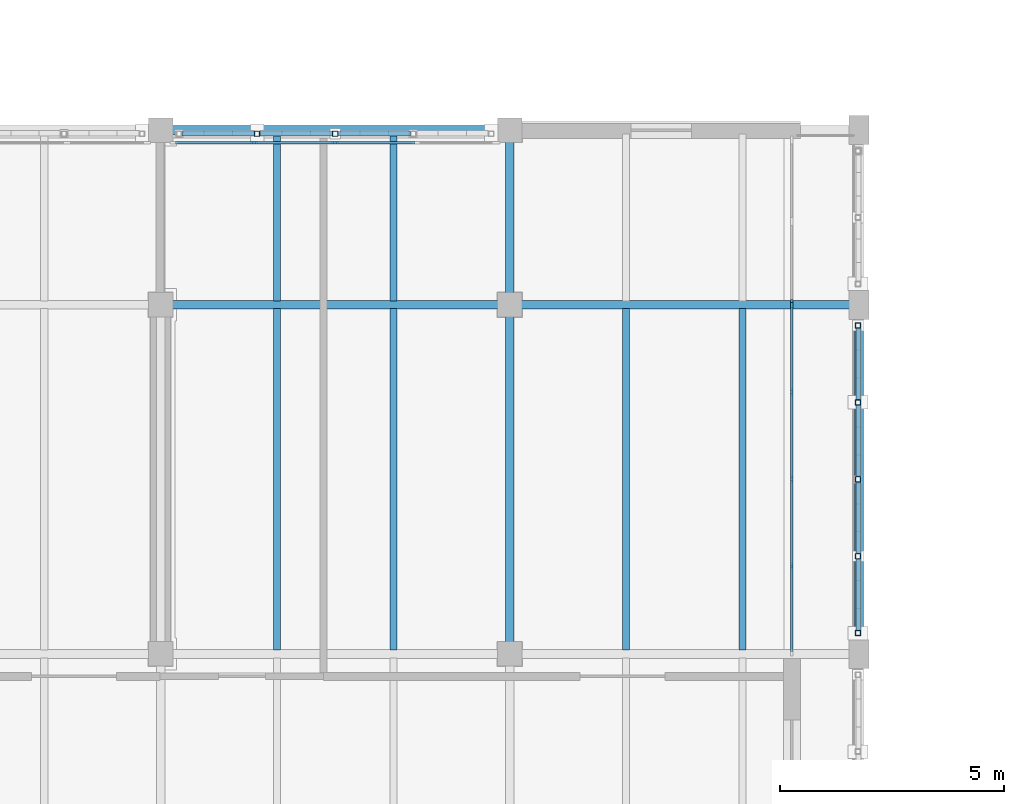
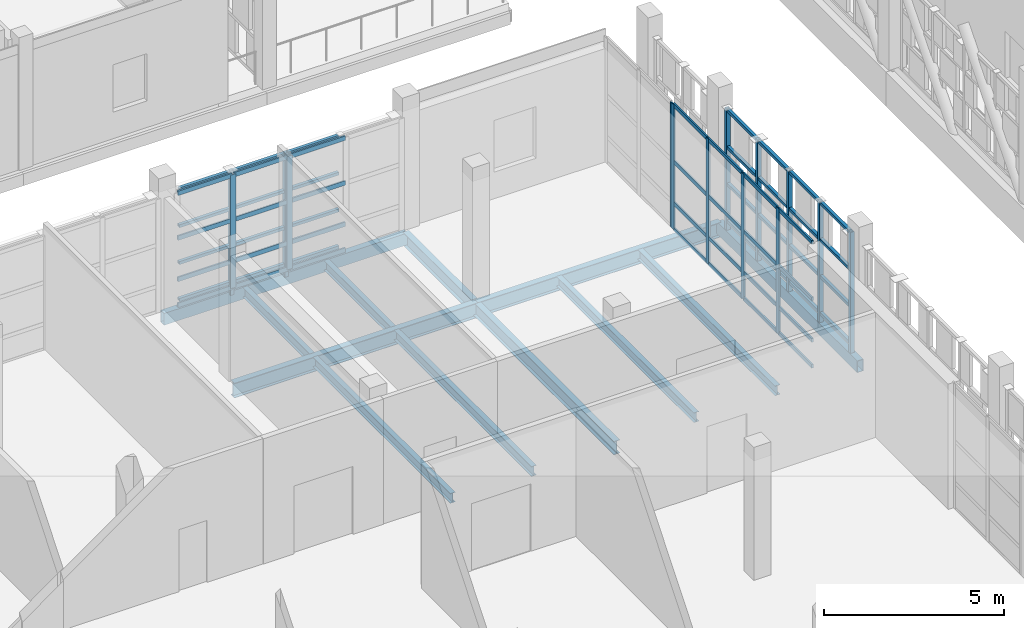
# One storey, part 23 of 119: 70 members, 12 beams, 3 elements without a shape of their own.
"""IFC4 building model written with IfcOpenShell, lengths in metres."""

from ifc_helpers import new_model, si_unit, direction, frame, origin, origin_2d, place, context, subcontext, project, spatial, rectangle, hollow_rectangle, i_section, extrude, material, layer, layer_set, material_profile, profile_set, type_object, element, aggregate, save


model = new_model("IFC4")

# Units and contexts
model_context = context("Model", 3, precision=1e-05, world=origin(), true_north=direction((0.0, 1.0)))
body_context = subcontext(model_context, "Body", "Model", "MODEL_VIEW")
ifc_project = project(units=[si_unit("LENGTHUNIT", "METRE"), si_unit("AREAUNIT", "SQUARE_METRE"), si_unit("VOLUMEUNIT", "CUBIC_METRE"), si_unit("PLANEANGLEUNIT", "RADIAN"), si_unit("MASSUNIT", "GRAM", prefix="KILO")], contexts=[model_context])

# Site, building, storey
site_placement = place(None, origin())
site = spatial("IfcSite", under=ifc_project, at=site_placement, CompositionType="ELEMENT")
building_placement = place(site_placement, origin())
building = spatial("IfcBuilding", under=site, at=building_placement, Name="Celorna Specialist Clinic", CompositionType="ELEMENT")
storey_placement = place(building_placement, frame((0.0, 0.0, 9.60009765625)))
storey = spatial("IfcBuildingStorey", under=building, at=storey_placement, Name="L02", CompositionType="ELEMENT", Elevation=9.60009765625)

# Beams
ifc_material_1 = material(Name="Steel S355", Category="steel")
ifc_material_profile_1 = material_profile(ifc_material_1, i_section(OverallWidth=0.199951171875, OverallDepth=0.5, WebThickness=0.01025390625, FlangeThickness=0.01611328125, at=origin_2d()), Name="IPE 500")
ifc_profile_set_1 = profile_set([ifc_material_profile_1], Name="Steel S355")
beam_type_1 = type_object("IfcBeamType", Name="BM-08", PredefinedType="BEAM", material=ifc_profile_set_1)
for number, where, z_axis, x_axis, name in (
    (1, (31.199951171875, 23.39990234375, -0.510009765625), (1.0, 0.0, 0.0), (0.0, 1.0, 0.0), "Primary girder BM-08 #1731"),
    (2, (39.0, 23.39990234375, -0.510009765625), (1.0, 0.0, 0.0), (0.0, 1.0, 0.0), "Primary girder BM-08 #1732"),
):
    element("IfcBeam", number, at=place(storey_placement, frame(where, z_axis=z_axis, x_axis=x_axis)), inside=storey, type_object=beam_type_1, Name=name, PredefinedType="BEAM", context=body_context, shape_type="SweptSolid", body=[
        extrude(i_section(OverallWidth=0.199951171875, OverallDepth=0.5, WebThickness=0.01025390625, FlangeThickness=0.01611328125, at=origin_2d()), origin(), (0.0, 0.0, 1.0), 7.800048828125),
    ])
ifc_material_profile_2 = material_profile(ifc_material_1, i_section(OverallWidth=0.18994140625, OverallDepth=0.449951171875, WebThickness=0.009521484375, FlangeThickness=0.0146484375, at=origin_2d()), Name="IPE 450")
ifc_profile_set_2 = profile_set([ifc_material_profile_2], Name="Steel S355")
beam_type_2 = type_object("IfcBeamType", Name="BM-09", PredefinedType="BEAM", material=ifc_profile_set_2)
beam_1_placement = place(storey_placement, frame((39.0, 15.60009765625, -0.485107421875), z_axis=(0.0, 1.0, 0.0), x_axis=(-1.0, 0.0, 0.0)))
element("IfcBeam", 3, at=beam_1_placement, inside=storey, type_object=beam_type_2, Name="Transverse girder BM-09 #1767", PredefinedType="BEAM", context=body_context, shape_type="SweptSolid", body=[
    extrude(i_section(OverallWidth=0.18994140625, OverallDepth=0.449951171875, WebThickness=0.009521484375, FlangeThickness=0.0146484375, at=origin_2d()), origin(), (0.0, 0.0, 1.0), 7.7998046875),
])
beam_2_placement = place(storey_placement, frame((39.0, 23.39990234375, -0.485107421875), z_axis=(0.0, 1.0, 0.0), x_axis=(-1.0, 0.0, 0.0)))
element("IfcBeam", 4, at=beam_2_placement, inside=storey, type_object=beam_type_2, Name="Transverse girder BM-09 #1768", PredefinedType="BEAM", context=body_context, shape_type="SweptSolid", body=[
    extrude(i_section(OverallWidth=0.18994140625, OverallDepth=0.449951171875, WebThickness=0.009521484375, FlangeThickness=0.0146484375, at=origin_2d()), origin(), (0.0, 0.0, 1.0), 3.900146484375),
])
ifc_material_profile_3 = material_profile(ifc_material_1, i_section(OverallWidth=0.159912109375, OverallDepth=0.330078125, WebThickness=0.007568359375, FlangeThickness=0.011474609375, at=origin_2d()), Name="IPE 330")
ifc_profile_set_3 = profile_set([ifc_material_profile_3], Name="Steel S355")
beam_type_3 = type_object("IfcBeamType", Name="BM-12", PredefinedType="JOIST", material=ifc_profile_set_3)
for number, where, z_axis, x_axis, name in (
    (5, (33.800048828125, 15.68798828125, -0.425048828125), (0.0, 1.0, 0.0), (-1.0, 0.0, 0.0), "Secondary floor joist BM-12 #1811"),
    (6, (36.39990234375, 15.68798828125, -0.425048828125), (0.0, 1.0, 0.0), (-1.0, 0.0, 0.0), "Secondary floor joist BM-12 #1812"),
):
    element("IfcBeam", number, at=place(storey_placement, frame(where, z_axis=z_axis, x_axis=x_axis)), inside=storey, type_object=beam_type_3, Name=name, PredefinedType="JOIST", context=body_context, shape_type="SweptSolid", body=[
        extrude(i_section(OverallWidth=0.159912109375, OverallDepth=0.330078125, WebThickness=0.007568359375, FlangeThickness=0.011474609375, at=origin_2d()), origin(), (0.0, 0.0, 1.0), 7.6240234375),
    ])
for number, where, z_axis, x_axis, name in (
    (7, (33.800048828125, 23.488037109375, -0.425048828125), (0.0, 1.0, 0.0), (-1.0, 0.0, 0.0), "Secondary floor joist BM-12 #1813"),
    (8, (36.39990234375, 23.488037109375, -0.425048828125), (0.0, 1.0, 0.0), (-1.0, 0.0, 0.0), "Secondary floor joist BM-12 #1814"),
):
    element("IfcBeam", number, at=place(storey_placement, frame(where, z_axis=z_axis, x_axis=x_axis)), inside=storey, type_object=beam_type_3, Name=name, PredefinedType="JOIST", context=body_context, shape_type="SweptSolid", body=[
        extrude(i_section(OverallWidth=0.159912109375, OverallDepth=0.330078125, WebThickness=0.007568359375, FlangeThickness=0.011474609375, at=origin_2d()), origin(), (0.0, 0.0, 1.0), 3.723876953125),
    ])
for number, where, z_axis, x_axis, name in (
    (9, (41.60009765625, 15.68798828125, -0.425048828125), (0.0, 1.0, 0.0), (-1.0, 0.0, 0.0), "Secondary floor joist BM-12 #1821"),
    (10, (44.199951171875, 15.68798828125, -0.425048828125), (0.0, 1.0, 0.0), (-1.0, 0.0, 0.0), "Secondary floor joist BM-12 #1822"),
):
    element("IfcBeam", number, at=place(storey_placement, frame(where, z_axis=z_axis, x_axis=x_axis)), inside=storey, type_object=beam_type_3, Name=name, PredefinedType="JOIST", context=body_context, shape_type="SweptSolid", body=[
        extrude(i_section(OverallWidth=0.159912109375, OverallDepth=0.330078125, WebThickness=0.007568359375, FlangeThickness=0.011474609375, at=origin_2d()), origin(), (0.0, 0.0, 1.0), 7.6240234375),
    ])
ifc_material_profile_4 = material_profile(ifc_material_1, hollow_rectangle(XDim=0.199951171875, YDim=0.39990234375, WallThickness=0.011962890625, at=origin_2d()), Name="RHS 200x400x12")
ifc_profile_set_4 = profile_set([ifc_material_profile_4], Name="Steel S355")
beam_type_4 = type_object("IfcBeamType", Name="BM-15", PredefinedType="SPANDREL", material=ifc_profile_set_4)
beam_3_placement = place(storey_placement, frame((31.199951171875, 27.300048828125, -0.460205078125), z_axis=(1.0, 0.0, 0.0), x_axis=(0.0, 1.0, 0.0)))
element("IfcBeam", 11, at=beam_3_placement, inside=storey, type_object=beam_type_4, Name="Spandrel beam BM-15 #1737", PredefinedType="SPANDREL", context=body_context, shape_type="SweptSolid", body=[
    extrude(hollow_rectangle(XDim=0.199951171875, YDim=0.39990234375, WallThickness=0.011962890625, at=origin_2d()), origin(), (0.0, 0.0, 1.0), 7.800048828125),
])
beam_4_placement = place(storey_placement, frame((46.800048828125, 15.60009765625, -0.460205078125), z_axis=(0.0, 1.0, 0.0), x_axis=(-1.0, 0.0, 0.0)))
element("IfcBeam", 12, at=beam_4_placement, inside=storey, type_object=beam_type_4, Name="Spandrel beam BM-15 #1772", PredefinedType="SPANDREL", context=body_context, shape_type="SweptSolid", body=[
    extrude(hollow_rectangle(XDim=0.199951171875, YDim=0.39990234375, WallThickness=0.011962890625, at=origin_2d()), origin(), (0.0, 0.0, 1.0), 7.7998046875),
])

# Members
ifc_material_profile_5 = material_profile(ifc_material_1, hollow_rectangle(XDim=0.1201171875, YDim=0.1201171875, WallThickness=0.008056640625, at=origin_2d()), Name="SHS 120x120x8")
ifc_profile_set_5 = profile_set([ifc_material_profile_5], Name="Steel S355")
member_type_1 = type_object("IfcMemberType", Name="MB-11", PredefinedType="STUD", material=ifc_profile_set_5)
for number, where, z_axis, x_axis, name in (
    (13, (46.780029296875, 16.06494140625, -0.360107421875), (0.0, 0.0, 1.0), (1.0, 0.0, 0.0), "Perforated screen steel post #1699"),
    (14, (46.780029296875, 17.782470703125, -0.360107421875), (0.0, 0.0, 1.0), (1.0, 0.0, 0.0), "Perforated screen steel post #1700"),
    (15, (46.780029296875, 19.5, -0.360107421875), (0.0, 0.0, 1.0), (1.0, 0.0, 0.0), "Perforated screen steel post #1701"),
    (16, (46.780029296875, 21.217529296875, -0.360107421875), (0.0, 0.0, 1.0), (1.0, 0.0, 0.0), "Perforated screen steel post #1702"),
    (17, (46.780029296875, 22.93505859375, -0.360107421875), (0.0, 0.0, 1.0), (1.0, 0.0, 0.0), "Perforated screen steel post #1703"),
    (18, (33.357421875, 27.219970703125, -0.360107421875), (0.0, 0.0, 1.0), (1.0, 0.0, 0.0), "Perforated screen steel post #1795"),
    (19, (35.10009765625, 27.219970703125, -0.360107421875), (0.0, 0.0, 1.0), (1.0, 0.0, 0.0), "Perforated screen steel post #1796"),
):
    element("IfcMember", number, at=place(storey_placement, frame(where, z_axis=z_axis, x_axis=x_axis)), inside=storey, type_object=member_type_1, Name=name, PredefinedType="STUD", context=body_context, shape_type="SweptSolid", body=[
        extrude(hollow_rectangle(XDim=0.1201171875, YDim=0.1201171875, WallThickness=0.008056640625, at=origin_2d()), origin(), (0.0, 0.0, 1.0), 4.199951171875),
    ])
ifc_material_profile_6 = material_profile(ifc_material_1, hollow_rectangle(XDim=0.10009765625, YDim=0.10009765625, WallThickness=0.006103515625, at=origin_2d()), Name="SHS 100x100x6")
ifc_profile_set_6 = profile_set([ifc_material_profile_6], Name="Steel S355")
member_type_2 = type_object("IfcMemberType", Name="MB-12", PredefinedType="STUD", material=ifc_profile_set_6)
for number, where, z_axis, x_axis, name in (
    (20, (46.780029296875, 16.125, 0.0498046875), (0.0, 1.0, 0.0), (-1.0, 0.0, 0.0), "Perforated screen rail #1704"),
    (21, (46.780029296875, 16.125, 1.296630859375), (0.0, 1.0, 0.0), (-1.0, 0.0, 0.0), "Perforated screen rail #1705"),
    (22, (46.780029296875, 16.125, 2.543212890625), (0.0, 1.0, 0.0), (-1.0, 0.0, 0.0), "Perforated screen rail #1706"),
    (23, (46.780029296875, 16.125, 3.789794921875), (0.0, 1.0, 0.0), (-1.0, 0.0, 0.0), "Perforated screen rail #1707"),
    (24, (46.780029296875, 17.842529296875, 0.0498046875), (0.0, 1.0, 0.0), (-1.0, 0.0, 0.0), "Perforated screen rail #1708"),
    (25, (46.780029296875, 17.842529296875, 1.296630859375), (0.0, 1.0, 0.0), (-1.0, 0.0, 0.0), "Perforated screen rail #1709"),
    (26, (46.780029296875, 17.842529296875, 2.543212890625), (0.0, 1.0, 0.0), (-1.0, 0.0, 0.0), "Perforated screen rail #1710"),
    (27, (46.780029296875, 17.842529296875, 3.789794921875), (0.0, 1.0, 0.0), (-1.0, 0.0, 0.0), "Perforated screen rail #1711"),
    (28, (46.780029296875, 19.56005859375, 0.0498046875), (0.0, 1.0, 0.0), (-1.0, 0.0, 0.0), "Perforated screen rail #1712"),
    (29, (46.780029296875, 19.56005859375, 1.296630859375), (0.0, 1.0, 0.0), (-1.0, 0.0, 0.0), "Perforated screen rail #1713"),
    (30, (46.780029296875, 19.56005859375, 2.543212890625), (0.0, 1.0, 0.0), (-1.0, 0.0, 0.0), "Perforated screen rail #1714"),
    (31, (46.780029296875, 19.56005859375, 3.789794921875), (0.0, 1.0, 0.0), (-1.0, 0.0, 0.0), "Perforated screen rail #1715"),
    (32, (46.780029296875, 21.277587890625, 0.0498046875), (0.0, 1.0, 0.0), (-1.0, 0.0, 0.0), "Perforated screen rail #1716"),
    (33, (46.780029296875, 21.277587890625, 1.296630859375), (0.0, 1.0, 0.0), (-1.0, 0.0, 0.0), "Perforated screen rail #1717"),
    (34, (46.780029296875, 21.277587890625, 2.543212890625), (0.0, 1.0, 0.0), (-1.0, 0.0, 0.0), "Perforated screen rail #1718"),
    (35, (46.780029296875, 21.277587890625, 3.789794921875), (0.0, 1.0, 0.0), (-1.0, 0.0, 0.0), "Perforated screen rail #1719"),
):
    element("IfcMember", number, at=place(storey_placement, frame(where, z_axis=z_axis, x_axis=x_axis)), inside=storey, type_object=member_type_2, Name=name, PredefinedType="STUD", context=body_context, shape_type="SweptSolid", body=[
        extrude(hollow_rectangle(XDim=0.10009765625, YDim=0.10009765625, WallThickness=0.006103515625, at=origin_2d()), origin(), (0.0, 0.0, 1.0), 1.597412109375),
    ])
for number, where, z_axis, x_axis, name in (
    (36, (31.675048828125, 27.219970703125, 0.0498046875), (1.0, 0.0, 0.0), (0.0, 1.0, 0.0), "Perforated screen rail #1799"),
    (37, (31.675048828125, 27.219970703125, 1.296630859375), (1.0, 0.0, 0.0), (0.0, 1.0, 0.0), "Perforated screen rail #1800"),
    (38, (31.675048828125, 27.219970703125, 2.543212890625), (1.0, 0.0, 0.0), (0.0, 1.0, 0.0), "Perforated screen rail #1801"),
    (39, (31.675048828125, 27.219970703125, 3.789794921875), (1.0, 0.0, 0.0), (0.0, 1.0, 0.0), "Perforated screen rail #1802"),
    (40, (33.41748046875, 27.219970703125, 0.0498046875), (1.0, 0.0, 0.0), (0.0, 1.0, 0.0), "Perforated screen rail #1803"),
    (41, (33.41748046875, 27.219970703125, 1.296630859375), (1.0, 0.0, 0.0), (0.0, 1.0, 0.0), "Perforated screen rail #1804"),
    (42, (33.41748046875, 27.219970703125, 2.543212890625), (1.0, 0.0, 0.0), (0.0, 1.0, 0.0), "Perforated screen rail #1805"),
    (43, (33.41748046875, 27.219970703125, 3.789794921875), (1.0, 0.0, 0.0), (0.0, 1.0, 0.0), "Perforated screen rail #1806"),
    (44, (35.159912109375, 27.219970703125, 0.0498046875), (1.0, 0.0, 0.0), (0.0, 1.0, 0.0), "Perforated screen rail #1807"),
    (45, (35.159912109375, 27.219970703125, 1.296630859375), (1.0, 0.0, 0.0), (0.0, 1.0, 0.0), "Perforated screen rail #1808"),
    (46, (35.159912109375, 27.219970703125, 2.543212890625), (1.0, 0.0, 0.0), (0.0, 1.0, 0.0), "Perforated screen rail #1809"),
    (47, (35.159912109375, 27.219970703125, 3.789794921875), (1.0, 0.0, 0.0), (0.0, 1.0, 0.0), "Perforated screen rail #1810"),
):
    element("IfcMember", number, at=place(storey_placement, frame(where, z_axis=z_axis, x_axis=x_axis)), inside=storey, type_object=member_type_2, Name=name, PredefinedType="STUD", context=body_context, shape_type="SweptSolid", body=[
        extrude(hollow_rectangle(XDim=0.10009765625, YDim=0.10009765625, WallThickness=0.006103515625, at=origin_2d()), origin(), (0.0, 0.0, 1.0), 1.62255859375),
    ])

# Curtain wall, members
ifc_material_2 = material(Name="Thermally broken aluminium and solar-control glass curtain wall", Category="aluminium")
ifc_layer_1 = layer(ifc_material_2, 0.159912109375, Name="Thermally broken aluminium and solar-control glass curtain wall")
ifc_layer_set_1 = layer_set([ifc_layer_1], Name="Thermally broken aluminium and solar-control glass curtain wall")
curtain_wall_type_1 = type_object("IfcCurtainWallType", Name="CW-68", PredefinedType="NOTDEFINED", material=ifc_layer_set_1)
curtain_wall_1_placement = place(storey_placement, origin())
curtain_wall_1 = element("IfcCurtainWall", 48, at=curtain_wall_1_placement, inside=storey, type_object=curtain_wall_type_1, Name="Curtain wall CW-68 #168", PredefinedType="NOTDEFINED")
ifc_material_3 = material(Name="Anodized aluminium mullion", Category="aluminium")
ifc_material_profile_7 = material_profile(ifc_material_3, rectangle(XDim=0.050048828125, YDim=0.159912109375, at=origin_2d()), Name="ALU MULLION 50x160")
ifc_profile_set_7 = profile_set([ifc_material_profile_7], Name="Anodized aluminium mullion")
member_type_3 = type_object("IfcMemberType", Name="ML-01", PredefinedType="MULLION", material=ifc_profile_set_7)
member_1_placement = place(storey_placement, frame((45.300048828125, 23.37109375, 0.0), z_axis=(0.0, 0.0, 1.0), x_axis=(1.0, 0.0, 0.0)))
member_1 = element("IfcMember", 49, at=member_1_placement, type_object=member_type_3, Name="CW-68 mullion 1", PredefinedType="MULLION", context=body_context, shape_type="SweptSolid", body=[
    extrude(rectangle(XDim=0.050048828125, YDim=0.159912109375, at=origin_2d()), origin(), (0.0, 0.0, 1.0), 4.239990234375),
])
member_2_placement = place(storey_placement, frame((45.300048828125, 21.447998046875, 0.0), z_axis=(0.0, 0.0, 1.0), x_axis=(1.0, 0.0, 0.0)))
member_2 = element("IfcMember", 50, at=member_2_placement, type_object=member_type_3, Name="CW-68 mullion 2", PredefinedType="MULLION", context=body_context, shape_type="SweptSolid", body=[
    extrude(rectangle(XDim=0.050048828125, YDim=0.159912109375, at=origin_2d()), origin(), (0.0, 0.0, 1.0), 4.239990234375),
])
member_3_placement = place(storey_placement, frame((45.300048828125, 19.5, 0.0), z_axis=(0.0, 0.0, 1.0), x_axis=(1.0, 0.0, 0.0)))
member_3 = element("IfcMember", 51, at=member_3_placement, type_object=member_type_3, Name="CW-68 mullion 3", PredefinedType="MULLION", context=body_context, shape_type="SweptSolid", body=[
    extrude(rectangle(XDim=0.050048828125, YDim=0.159912109375, at=origin_2d()), origin(), (0.0, 0.0, 1.0), 4.239990234375),
])
member_4_placement = place(storey_placement, frame((45.300048828125, 17.552001953125, 0.0), z_axis=(0.0, 0.0, 1.0), x_axis=(1.0, 0.0, 0.0)))
member_4 = element("IfcMember", 52, at=member_4_placement, type_object=member_type_3, Name="CW-68 mullion 4", PredefinedType="MULLION", context=body_context, shape_type="SweptSolid", body=[
    extrude(rectangle(XDim=0.050048828125, YDim=0.159912109375, at=origin_2d()), origin(), (0.0, 0.0, 1.0), 4.239990234375),
])

ifc_layer_2 = layer(ifc_material_2, 0.159912109375, Name="Thermally broken aluminium and solar-control glass curtain wall")
ifc_layer_set_2 = layer_set([ifc_layer_2], Name="Thermally broken aluminium and solar-control glass curtain wall")
curtain_wall_type_2 = type_object("IfcCurtainWallType", Name="CW-88", PredefinedType="NOTDEFINED", material=ifc_layer_set_2)
curtain_wall_2_placement = place(storey_placement, origin())
curtain_wall_2 = element("IfcCurtainWall", 53, at=curtain_wall_2_placement, inside=storey, type_object=curtain_wall_type_2, Name="Curtain wall CW-88 #165", PredefinedType="NOTDEFINED")
ifc_material_profile_8 = material_profile(ifc_material_3, rectangle(XDim=0.050048828125, YDim=0.179931640625, at=origin_2d()), Name="ALU MULLION 50x180")
ifc_profile_set_8 = profile_set([ifc_material_profile_8], Name="Anodized aluminium mullion")
member_type_4 = type_object("IfcMemberType", Name="ML-02", PredefinedType="MULLION", material=ifc_profile_set_8)
member_5_placement = place(storey_placement, frame((33.28955078125, 27.02001953125, 0.0), z_axis=(0.0, 0.0, 1.0), x_axis=(0.0, 1.0, 0.0)))
member_5 = element("IfcMember", 54, at=member_5_placement, type_object=member_type_4, Name="CW-88 mullion 2", PredefinedType="MULLION", context=body_context, shape_type="SweptSolid", body=[
    extrude(rectangle(XDim=0.050048828125, YDim=0.179931640625, at=origin_2d()), origin(), (0.0, 0.0, 1.0), 3.83984375),
])
member_6_placement = place(storey_placement, frame((35.10009765625, 27.02001953125, 0.0), z_axis=(0.0, 0.0, 1.0), x_axis=(0.0, 1.0, 0.0)))
member_6 = element("IfcMember", 55, at=member_6_placement, type_object=member_type_4, Name="CW-88 mullion 3", PredefinedType="MULLION", context=body_context, shape_type="SweptSolid", body=[
    extrude(rectangle(XDim=0.050048828125, YDim=0.179931640625, at=origin_2d()), origin(), (0.0, 0.0, 1.0), 3.83984375),
])

# Curtain wall, member
ifc_layer_3 = layer(ifc_material_2, 0.159912109375, Name="Thermally broken aluminium and solar-control glass curtain wall")
ifc_layer_set_3 = layer_set([ifc_layer_3], Name="Thermally broken aluminium and solar-control glass curtain wall")
curtain_wall_type_3 = type_object("IfcCurtainWallType", Name="CW-93", PredefinedType="NOTDEFINED", material=ifc_layer_set_3)
curtain_wall_3_placement = place(storey_placement, origin())
curtain_wall_3 = element("IfcCurtainWall", 56, at=curtain_wall_3_placement, inside=storey, type_object=curtain_wall_type_3, Name="Curtain wall CW-93 #169", PredefinedType="NOTDEFINED")
member_7_placement = place(storey_placement, frame((45.300048828125, 23.428955078125, 0.0), z_axis=(0.0, 0.0, 1.0), x_axis=(1.0, 0.0, 0.0)))
member_7 = element("IfcMember", 57, at=member_7_placement, type_object=member_type_4, Name="CW-93 mullion 3", PredefinedType="MULLION", context=body_context, shape_type="SweptSolid", body=[
    extrude(rectangle(XDim=0.050048828125, YDim=0.179931640625, at=origin_2d()), origin(), (0.0, 0.0, 1.0), 4.239990234375),
])
aggregate(curtain_wall_3, [member_7])

# Member
ifc_material_4 = material(Name="Anodized aluminium transom", Category="aluminium")
ifc_material_profile_9 = material_profile(ifc_material_4, rectangle(XDim=0.050048828125, YDim=0.1298828125, at=origin_2d()), Name="ALU TRANSOM 50x130")
ifc_profile_set_9 = profile_set([ifc_material_profile_9], Name="Anodized aluminium transom")
member_type_5 = type_object("IfcMemberType", Name="TR-01", PredefinedType="USERDEFINED", material=ifc_profile_set_9)
member_8_placement = place(storey_placement, frame((45.300048828125, 23.345947265625, 0.02490234375), z_axis=(0.0, -1.0, 0.0), x_axis=(1.0, 0.0, 0.0)))
member_8 = element("IfcMember", 58, at=member_8_placement, type_object=member_type_5, Name="CW-68 transom 1.1", ObjectType="TRANSOM", PredefinedType="USERDEFINED", context=body_context, shape_type="SweptSolid", body=[
    extrude(rectangle(XDim=0.050048828125, YDim=0.1298828125, at=origin_2d()), origin(), (0.0, 0.0, 1.0), 1.873046875),
])

member_9_placement = place(storey_placement, frame((45.300048828125, 23.345947265625, 0.89990234375), z_axis=(0.0, -1.0, 0.0), x_axis=(1.0, 0.0, 0.0)))
member_9 = element("IfcMember", 59, at=member_9_placement, type_object=member_type_5, Name="CW-68 transom 1.2", ObjectType="TRANSOM", PredefinedType="USERDEFINED", context=body_context, shape_type="SweptSolid", body=[
    extrude(rectangle(XDim=0.050048828125, YDim=0.1298828125, at=origin_2d()), origin(), (0.0, 0.0, 1.0), 1.873046875),
])

member_10_placement = place(storey_placement, frame((45.300048828125, 23.345947265625, 2.2998046875), z_axis=(0.0, -1.0, 0.0), x_axis=(1.0, 0.0, 0.0)))
member_10 = element("IfcMember", 60, at=member_10_placement, type_object=member_type_5, Name="CW-68 transom 1.3", ObjectType="TRANSOM", PredefinedType="USERDEFINED", context=body_context, shape_type="SweptSolid", body=[
    extrude(rectangle(XDim=0.050048828125, YDim=0.1298828125, at=origin_2d()), origin(), (0.0, 0.0, 1.0), 1.873046875),
])

member_11_placement = place(storey_placement, frame((45.300048828125, 23.345947265625, 4.21484375), z_axis=(0.0, -1.0, 0.0), x_axis=(1.0, 0.0, 0.0)))
member_11 = element("IfcMember", 61, at=member_11_placement, type_object=member_type_5, Name="CW-68 transom 1.4", ObjectType="TRANSOM", PredefinedType="USERDEFINED", context=body_context, shape_type="SweptSolid", body=[
    extrude(rectangle(XDim=0.050048828125, YDim=0.1298828125, at=origin_2d()), origin(), (0.0, 0.0, 1.0), 1.873046875),
])

member_12_placement = place(storey_placement, frame((45.300048828125, 21.423095703125, 0.02490234375), z_axis=(0.0, -1.0, 0.0), x_axis=(1.0, 0.0, 0.0)))
member_12 = element("IfcMember", 62, at=member_12_placement, type_object=member_type_5, Name="CW-68 transom 2.1", ObjectType="TRANSOM", PredefinedType="USERDEFINED", context=body_context, shape_type="SweptSolid", body=[
    extrude(rectangle(XDim=0.050048828125, YDim=0.1298828125, at=origin_2d()), origin(), (0.0, 0.0, 1.0), 1.898193359375),
])

member_13_placement = place(storey_placement, frame((45.300048828125, 21.423095703125, 0.89990234375), z_axis=(0.0, -1.0, 0.0), x_axis=(1.0, 0.0, 0.0)))
member_13 = element("IfcMember", 63, at=member_13_placement, type_object=member_type_5, Name="CW-68 transom 2.2", ObjectType="TRANSOM", PredefinedType="USERDEFINED", context=body_context, shape_type="SweptSolid", body=[
    extrude(rectangle(XDim=0.050048828125, YDim=0.1298828125, at=origin_2d()), origin(), (0.0, 0.0, 1.0), 1.898193359375),
])

member_14_placement = place(storey_placement, frame((45.300048828125, 21.423095703125, 2.2998046875), z_axis=(0.0, -1.0, 0.0), x_axis=(1.0, 0.0, 0.0)))
member_14 = element("IfcMember", 64, at=member_14_placement, type_object=member_type_5, Name="CW-68 transom 2.3", ObjectType="TRANSOM", PredefinedType="USERDEFINED", context=body_context, shape_type="SweptSolid", body=[
    extrude(rectangle(XDim=0.050048828125, YDim=0.1298828125, at=origin_2d()), origin(), (0.0, 0.0, 1.0), 1.898193359375),
])

member_15_placement = place(storey_placement, frame((45.300048828125, 21.423095703125, 4.21484375), z_axis=(0.0, -1.0, 0.0), x_axis=(1.0, 0.0, 0.0)))
member_15 = element("IfcMember", 65, at=member_15_placement, type_object=member_type_5, Name="CW-68 transom 2.4", ObjectType="TRANSOM", PredefinedType="USERDEFINED", context=body_context, shape_type="SweptSolid", body=[
    extrude(rectangle(XDim=0.050048828125, YDim=0.1298828125, at=origin_2d()), origin(), (0.0, 0.0, 1.0), 1.898193359375),
])

member_16_placement = place(storey_placement, frame((45.300048828125, 19.47509765625, 0.02490234375), z_axis=(0.0, -1.0, 0.0), x_axis=(1.0, 0.0, 0.0)))
member_16 = element("IfcMember", 66, at=member_16_placement, type_object=member_type_5, Name="CW-68 transom 3.1", ObjectType="TRANSOM", PredefinedType="USERDEFINED", context=body_context, shape_type="SweptSolid", body=[
    extrude(rectangle(XDim=0.050048828125, YDim=0.1298828125, at=origin_2d()), origin(), (0.0, 0.0, 1.0), 1.898193359375),
])

member_17_placement = place(storey_placement, frame((45.300048828125, 19.47509765625, 0.89990234375), z_axis=(0.0, -1.0, 0.0), x_axis=(1.0, 0.0, 0.0)))
member_17 = element("IfcMember", 67, at=member_17_placement, type_object=member_type_5, Name="CW-68 transom 3.2", ObjectType="TRANSOM", PredefinedType="USERDEFINED", context=body_context, shape_type="SweptSolid", body=[
    extrude(rectangle(XDim=0.050048828125, YDim=0.1298828125, at=origin_2d()), origin(), (0.0, 0.0, 1.0), 1.898193359375),
])

member_18_placement = place(storey_placement, frame((45.300048828125, 19.47509765625, 2.2998046875), z_axis=(0.0, -1.0, 0.0), x_axis=(1.0, 0.0, 0.0)))
member_18 = element("IfcMember", 68, at=member_18_placement, type_object=member_type_5, Name="CW-68 transom 3.3", ObjectType="TRANSOM", PredefinedType="USERDEFINED", context=body_context, shape_type="SweptSolid", body=[
    extrude(rectangle(XDim=0.050048828125, YDim=0.1298828125, at=origin_2d()), origin(), (0.0, 0.0, 1.0), 1.898193359375),
])

member_19_placement = place(storey_placement, frame((45.300048828125, 19.47509765625, 4.21484375), z_axis=(0.0, -1.0, 0.0), x_axis=(1.0, 0.0, 0.0)))
member_19 = element("IfcMember", 69, at=member_19_placement, type_object=member_type_5, Name="CW-68 transom 3.4", ObjectType="TRANSOM", PredefinedType="USERDEFINED", context=body_context, shape_type="SweptSolid", body=[
    extrude(rectangle(XDim=0.050048828125, YDim=0.1298828125, at=origin_2d()), origin(), (0.0, 0.0, 1.0), 1.898193359375),
])

member_20_placement = place(storey_placement, frame((45.300048828125, 17.527099609375, 0.02490234375), z_axis=(0.0, -1.0, 0.0), x_axis=(1.0, 0.0, 0.0)))
member_20 = element("IfcMember", 70, at=member_20_placement, type_object=member_type_5, Name="CW-68 transom 4.1", ObjectType="TRANSOM", PredefinedType="USERDEFINED", context=body_context, shape_type="SweptSolid", body=[
    extrude(rectangle(XDim=0.050048828125, YDim=0.1298828125, at=origin_2d()), origin(), (0.0, 0.0, 1.0), 1.873046875),
])

member_21_placement = place(storey_placement, frame((45.300048828125, 17.527099609375, 0.89990234375), z_axis=(0.0, -1.0, 0.0), x_axis=(1.0, 0.0, 0.0)))
member_21 = element("IfcMember", 71, at=member_21_placement, type_object=member_type_5, Name="CW-68 transom 4.2", ObjectType="TRANSOM", PredefinedType="USERDEFINED", context=body_context, shape_type="SweptSolid", body=[
    extrude(rectangle(XDim=0.050048828125, YDim=0.1298828125, at=origin_2d()), origin(), (0.0, 0.0, 1.0), 1.873046875),
])

member_22_placement = place(storey_placement, frame((45.300048828125, 17.527099609375, 2.2998046875), z_axis=(0.0, -1.0, 0.0), x_axis=(1.0, 0.0, 0.0)))
member_22 = element("IfcMember", 72, at=member_22_placement, type_object=member_type_5, Name="CW-68 transom 4.3", ObjectType="TRANSOM", PredefinedType="USERDEFINED", context=body_context, shape_type="SweptSolid", body=[
    extrude(rectangle(XDim=0.050048828125, YDim=0.1298828125, at=origin_2d()), origin(), (0.0, 0.0, 1.0), 1.873046875),
])

member_23_placement = place(storey_placement, frame((45.300048828125, 17.527099609375, 4.21484375), z_axis=(0.0, -1.0, 0.0), x_axis=(1.0, 0.0, 0.0)))
member_23 = element("IfcMember", 73, at=member_23_placement, type_object=member_type_5, Name="CW-68 transom 4.4", ObjectType="TRANSOM", PredefinedType="USERDEFINED", context=body_context, shape_type="SweptSolid", body=[
    extrude(rectangle(XDim=0.050048828125, YDim=0.1298828125, at=origin_2d()), origin(), (0.0, 0.0, 1.0), 1.873046875),
])

aggregate(curtain_wall_1, [member_1, member_2, member_3, member_4, member_8, member_9, member_10, member_11, member_12, member_13, member_14, member_15, member_16, member_17, member_18, member_19, member_20, member_21, member_22, member_23])

ifc_material_profile_10 = material_profile(ifc_material_4, rectangle(XDim=0.050048828125, YDim=0.14990234375, at=origin_2d()), Name="ALU TRANSOM 50x150")
ifc_profile_set_10 = profile_set([ifc_material_profile_10], Name="Anodized aluminium transom")
member_type_6 = type_object("IfcMemberType", Name="TR-02", PredefinedType="USERDEFINED", material=ifc_profile_set_10)
member_24_placement = place(storey_placement, frame((31.529052734375, 27.02001953125, 0.02490234375), z_axis=(1.0, 0.0, 0.0), x_axis=(0.0, 1.0, 0.0)))
member_24 = element("IfcMember", 74, at=member_24_placement, type_object=member_type_6, Name="CW-88 transom 1.1", ObjectType="TRANSOM", PredefinedType="USERDEFINED", context=body_context, shape_type="SweptSolid", body=[
    extrude(rectangle(XDim=0.050048828125, YDim=0.14990234375, at=origin_2d()), origin(), (0.0, 0.0, 1.0), 1.7353515625),
])

member_25_placement = place(storey_placement, frame((31.529052734375, 27.02001953125, 0.89990234375), z_axis=(1.0, 0.0, 0.0), x_axis=(0.0, 1.0, 0.0)))
member_25 = element("IfcMember", 75, at=member_25_placement, type_object=member_type_6, Name="CW-88 transom 1.2", ObjectType="TRANSOM", PredefinedType="USERDEFINED", context=body_context, shape_type="SweptSolid", body=[
    extrude(rectangle(XDim=0.050048828125, YDim=0.14990234375, at=origin_2d()), origin(), (0.0, 0.0, 1.0), 1.7353515625),
])

member_26_placement = place(storey_placement, frame((31.529052734375, 27.02001953125, 2.2998046875), z_axis=(1.0, 0.0, 0.0), x_axis=(0.0, 1.0, 0.0)))
member_26 = element("IfcMember", 76, at=member_26_placement, type_object=member_type_6, Name="CW-88 transom 1.3", ObjectType="TRANSOM", PredefinedType="USERDEFINED", context=body_context, shape_type="SweptSolid", body=[
    extrude(rectangle(XDim=0.050048828125, YDim=0.14990234375, at=origin_2d()), origin(), (0.0, 0.0, 1.0), 1.7353515625),
])

member_27_placement = place(storey_placement, frame((31.529052734375, 27.02001953125, 3.81494140625), z_axis=(1.0, 0.0, 0.0), x_axis=(0.0, 1.0, 0.0)))
member_27 = element("IfcMember", 77, at=member_27_placement, type_object=member_type_6, Name="CW-88 transom 1.4", ObjectType="TRANSOM", PredefinedType="USERDEFINED", context=body_context, shape_type="SweptSolid", body=[
    extrude(rectangle(XDim=0.050048828125, YDim=0.14990234375, at=origin_2d()), origin(), (0.0, 0.0, 1.0), 1.7353515625),
])

member_28_placement = place(storey_placement, frame((33.314453125, 27.02001953125, 0.02490234375), z_axis=(1.0, 0.0, 0.0), x_axis=(0.0, 1.0, 0.0)))
member_28 = element("IfcMember", 78, at=member_28_placement, type_object=member_type_6, Name="CW-88 transom 2.1", ObjectType="TRANSOM", PredefinedType="USERDEFINED", context=body_context, shape_type="SweptSolid", body=[
    extrude(rectangle(XDim=0.050048828125, YDim=0.14990234375, at=origin_2d()), origin(), (0.0, 0.0, 1.0), 1.760498046875),
])

member_29_placement = place(storey_placement, frame((33.314453125, 27.02001953125, 0.89990234375), z_axis=(1.0, 0.0, 0.0), x_axis=(0.0, 1.0, 0.0)))
member_29 = element("IfcMember", 79, at=member_29_placement, type_object=member_type_6, Name="CW-88 transom 2.2", ObjectType="TRANSOM", PredefinedType="USERDEFINED", context=body_context, shape_type="SweptSolid", body=[
    extrude(rectangle(XDim=0.050048828125, YDim=0.14990234375, at=origin_2d()), origin(), (0.0, 0.0, 1.0), 1.760498046875),
])

member_30_placement = place(storey_placement, frame((33.314453125, 27.02001953125, 2.2998046875), z_axis=(1.0, 0.0, 0.0), x_axis=(0.0, 1.0, 0.0)))
member_30 = element("IfcMember", 80, at=member_30_placement, type_object=member_type_6, Name="CW-88 transom 2.3", ObjectType="TRANSOM", PredefinedType="USERDEFINED", context=body_context, shape_type="SweptSolid", body=[
    extrude(rectangle(XDim=0.050048828125, YDim=0.14990234375, at=origin_2d()), origin(), (0.0, 0.0, 1.0), 1.760498046875),
])

member_31_placement = place(storey_placement, frame((33.314453125, 27.02001953125, 3.81494140625), z_axis=(1.0, 0.0, 0.0), x_axis=(0.0, 1.0, 0.0)))
member_31 = element("IfcMember", 81, at=member_31_placement, type_object=member_type_6, Name="CW-88 transom 2.4", ObjectType="TRANSOM", PredefinedType="USERDEFINED", context=body_context, shape_type="SweptSolid", body=[
    extrude(rectangle(XDim=0.050048828125, YDim=0.14990234375, at=origin_2d()), origin(), (0.0, 0.0, 1.0), 1.760498046875),
])

member_32_placement = place(storey_placement, frame((35.125, 27.02001953125, 0.02490234375), z_axis=(1.0, 0.0, 0.0), x_axis=(0.0, 1.0, 0.0)))
member_32 = element("IfcMember", 82, at=member_32_placement, type_object=member_type_6, Name="CW-88 transom 3.1", ObjectType="TRANSOM", PredefinedType="USERDEFINED", context=body_context, shape_type="SweptSolid", body=[
    extrude(rectangle(XDim=0.050048828125, YDim=0.14990234375, at=origin_2d()), origin(), (0.0, 0.0, 1.0), 1.760498046875),
])

member_33_placement = place(storey_placement, frame((35.125, 27.02001953125, 0.89990234375), z_axis=(1.0, 0.0, 0.0), x_axis=(0.0, 1.0, 0.0)))
member_33 = element("IfcMember", 83, at=member_33_placement, type_object=member_type_6, Name="CW-88 transom 3.2", ObjectType="TRANSOM", PredefinedType="USERDEFINED", context=body_context, shape_type="SweptSolid", body=[
    extrude(rectangle(XDim=0.050048828125, YDim=0.14990234375, at=origin_2d()), origin(), (0.0, 0.0, 1.0), 1.760498046875),
])

member_34_placement = place(storey_placement, frame((35.125, 27.02001953125, 2.2998046875), z_axis=(1.0, 0.0, 0.0), x_axis=(0.0, 1.0, 0.0)))
member_34 = element("IfcMember", 84, at=member_34_placement, type_object=member_type_6, Name="CW-88 transom 3.3", ObjectType="TRANSOM", PredefinedType="USERDEFINED", context=body_context, shape_type="SweptSolid", body=[
    extrude(rectangle(XDim=0.050048828125, YDim=0.14990234375, at=origin_2d()), origin(), (0.0, 0.0, 1.0), 1.760498046875),
])

member_35_placement = place(storey_placement, frame((35.125, 27.02001953125, 3.81494140625), z_axis=(1.0, 0.0, 0.0), x_axis=(0.0, 1.0, 0.0)))
member_35 = element("IfcMember", 85, at=member_35_placement, type_object=member_type_6, Name="CW-88 transom 3.4", ObjectType="TRANSOM", PredefinedType="USERDEFINED", context=body_context, shape_type="SweptSolid", body=[
    extrude(rectangle(XDim=0.050048828125, YDim=0.14990234375, at=origin_2d()), origin(), (0.0, 0.0, 1.0), 1.760498046875),
])

aggregate(curtain_wall_2, [member_5, member_6, member_24, member_25, member_26, member_27, member_28, member_29, member_30, member_31, member_32, member_33, member_34, member_35])

save(model, "model.ifc")
